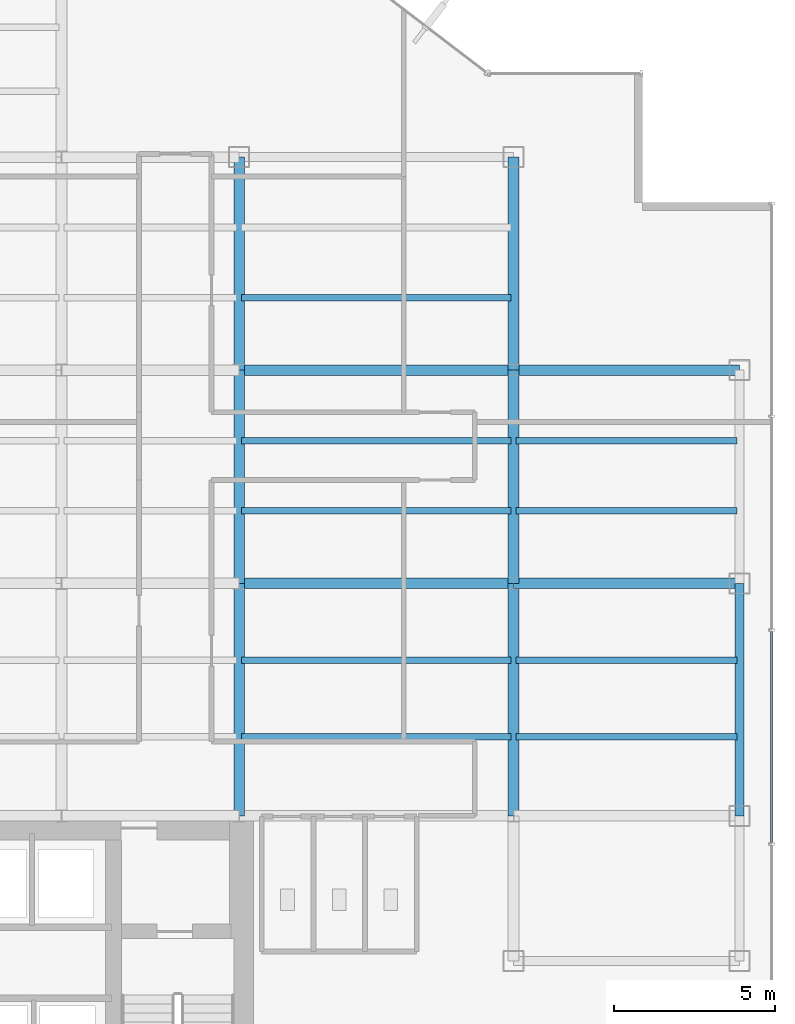
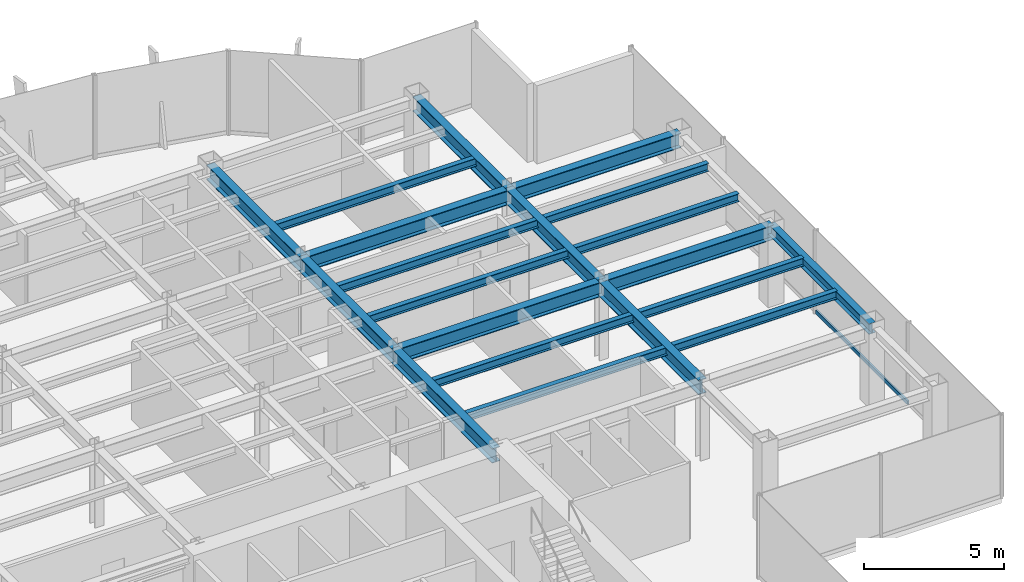
# One storey, part 6 of 19: 20 beams, 1 member, 1 element without a shape of its own.
"""IFC4 building model written with IfcOpenShell, lengths in metres."""

from ifc_helpers import new_model, si_unit, derived_unit, direction, frame, origin, origin_2d, place, context, subcontext, project, spatial, hollow_rectangle, i_section, extrude, source, transform, mapped, material, material_profile, profile_set, type_object, element, aggregate, save


model = new_model("IFC4")

# Units and contexts
model_context = context("Model", 3, precision=1e-05, world=origin(), true_north=direction((0.0, 1.0)))
body_context = subcontext(model_context, "Body", "Model", "MODEL_VIEW")
ifc_project = project(units=[si_unit("LENGTHUNIT", "METRE"), si_unit("AREAUNIT", "SQUARE_METRE"), si_unit("VOLUMEUNIT", "CUBIC_METRE"), si_unit("PLANEANGLEUNIT", "RADIAN"), si_unit("MASSUNIT", "GRAM", prefix="KILO"), derived_unit("THERMALTRANSMITTANCEUNIT", [(si_unit("POWERUNIT", "WATT"), 1), (si_unit("LENGTHUNIT", "METRE"), -2), (si_unit("THERMODYNAMICTEMPERATUREUNIT", "KELVIN"), -1)])], contexts=[model_context])

# Site, building, storey
site_placement = place(None, origin())
site = spatial("IfcSite", under=ifc_project, at=site_placement, CompositionType="ELEMENT")
building_placement = place(site_placement, origin())
building = spatial("IfcBuilding", under=site, at=building_placement, Name="Skarnbrae Concourse Arena and Tower", CompositionType="ELEMENT")
storey_placement = place(building_placement, frame((0.0, 0.0, 180.75)))
storey = spatial("IfcBuildingStorey", under=building, at=storey_placement, Name="L46", CompositionType="ELEMENT", Elevation=180.75)

# Beams
ifc_material_1 = material(Name="Steel CSA G40.21 350W", Category="steel")
ifc_material_profile_1 = material_profile(ifc_material_1, i_section(OverallWidth=0.3291015625, OverallDepth=0.635009765625, WebThickness=0.017822265625, FlangeThickness=0.031005859375, at=origin_2d()), Name="W610X241")
ifc_profile_set_1 = profile_set([ifc_material_profile_1], Name="Steel CSA G40.21 350W")
beam_type_1 = type_object("IfcBeamType", Name="BM-GIRD-W610X241", PredefinedType="BEAM", material=ifc_profile_set_1)
shared_shape_1 = source(origin(), body_context, "Body", "SweptSolid", [
    extrude(i_section(OverallWidth=0.3291015625, OverallDepth=0.635009765625, WebThickness=0.017822265625, FlangeThickness=0.031005859375, at=origin_2d()), origin(), (0.0, 0.0, 1.0), 6.60009765625),
])
for number, where, z_axis, x_axis, name in (
    (1, (33.5, 21.199951171875, 3.08251953125), (0.0, 1.0, 0.0), (-1.0, 0.0, 0.0), "L46 Primary N-S girder X33.5-2"),
    (2, (42.0, 21.199951171875, 3.08251953125), (0.0, 1.0, 0.0), (-1.0, 0.0, 0.0), "L46 Primary N-S girder X42.0-3"),
):
    element("IfcBeam", number, at=place(storey_placement, frame(where, z_axis=z_axis, x_axis=x_axis)), inside=storey, type_object=beam_type_1, Name=name, PredefinedType="BEAM", context=body_context, shape_type="MappedRepresentation", body=[
        mapped(shared_shape_1, transform((0.0, 0.0, 0.0))),
    ])
shared_shape_2 = source(origin(), body_context, "Body", "SweptSolid", [
    extrude(i_section(OverallWidth=0.3291015625, OverallDepth=0.635009765625, WebThickness=0.017822265625, FlangeThickness=0.031005859375, at=origin_2d()), origin(), (0.0, 0.0, 1.0), 8.5),
])
for number, where, z_axis, x_axis, name in (
    (3, (33.5, 21.199951171875, 3.08251953125), (1.0, 0.0, 0.0), (0.0, 1.0, 0.0), "L46 Primary E-W girder Y21.2-6"),
    (4, (33.5, 27.800048828125, 3.08251953125), (1.0, 0.0, 0.0), (0.0, 1.0, 0.0), "L46 Primary E-W girder Y27.8-6"),
):
    element("IfcBeam", number, at=place(storey_placement, frame(where, z_axis=z_axis, x_axis=x_axis)), inside=storey, type_object=beam_type_1, Name=name, PredefinedType="BEAM", context=body_context, shape_type="MappedRepresentation", body=[
        mapped(shared_shape_2, transform((0.0, 0.0, 0.0))),
    ])
shared_shape_3 = source(origin(), body_context, "Body", "SweptSolid", [
    extrude(i_section(OverallWidth=0.3291015625, OverallDepth=0.635009765625, WebThickness=0.017822265625, FlangeThickness=0.031005859375, at=origin_2d()), origin(), (0.0, 0.0, 1.0), 7.0),
])
for number, where, z_axis, x_axis, name in (
    (5, (42.0, 21.199951171875, 3.08251953125), (1.0, 0.0, 0.0), (0.0, 1.0, 0.0), "L46 Primary E-W girder Y21.2-7"),
    (6, (42.0, 27.800048828125, 3.08251953125), (1.0, 0.0, 0.0), (0.0, 1.0, 0.0), "L46 Primary E-W girder Y27.8-7"),
):
    element("IfcBeam", number, at=place(storey_placement, frame(where, z_axis=z_axis, x_axis=x_axis)), inside=storey, type_object=beam_type_1, Name=name, PredefinedType="BEAM", context=body_context, shape_type="MappedRepresentation", body=[
        mapped(shared_shape_3, transform((0.0, 0.0, 0.0))),
    ])
ifc_material_profile_2 = material_profile(ifc_material_1, i_section(OverallWidth=0.280029296875, OverallDepth=0.462890625, WebThickness=0.0107421875, FlangeThickness=0.017333984375, at=origin_2d()), Name="W460X113")
ifc_profile_set_2 = profile_set([ifc_material_profile_2], Name="Steel CSA G40.21 350W")
beam_type_2 = type_object("IfcBeamType", Name="BM-SPAN-W460X113", PredefinedType="SPANDREL", material=ifc_profile_set_2)
shared_shape_4 = source(origin(), body_context, "Body", "SweptSolid", [
    extrude(i_section(OverallWidth=0.280029296875, OverallDepth=0.462890625, WebThickness=0.0107421875, FlangeThickness=0.017333984375, at=origin_2d()), origin(), (0.0, 0.0, 1.0), 7.199951171875),
])
beam_placement = place(storey_placement, frame((49.0, 14.0, 3.16845703125), z_axis=(0.0, 1.0, 0.0), x_axis=(-1.0, 0.0, 0.0)))
element("IfcBeam", 7, at=beam_placement, inside=storey, type_object=beam_type_2, Name="L46 Perimeter spandrel X49.0-2", PredefinedType="SPANDREL", context=body_context, shape_type="MappedRepresentation", body=[
    mapped(shared_shape_4, transform((0.0, 0.0, 0.0))),
])
shared_shape_5 = source(origin(), body_context, "Body", "SweptSolid", [
    extrude(i_section(OverallWidth=0.3291015625, OverallDepth=0.635009765625, WebThickness=0.017822265625, FlangeThickness=0.031005859375, at=origin_2d()), origin(), (0.0, 0.0, 1.0), 7.199951171875),
])
for number, where, z_axis, x_axis, name in (
    (8, (33.5, 14.0, 3.08251953125), (0.0, 1.0, 0.0), (-1.0, 0.0, 0.0), "L46 Primary N-S girder X33.5-1"),
    (9, (42.0, 14.0, 3.08251953125), (0.0, 1.0, 0.0), (-1.0, 0.0, 0.0), "L46 Primary N-S girder X42.0-2"),
):
    element("IfcBeam", number, at=place(storey_placement, frame(where, z_axis=z_axis, x_axis=x_axis)), inside=storey, type_object=beam_type_1, Name=name, PredefinedType="BEAM", context=body_context, shape_type="MappedRepresentation", body=[
        mapped(shared_shape_5, transform((0.0, 0.0, 0.0))),
    ])
shared_shape_6 = source(origin(), body_context, "Body", "SweptSolid", [
    extrude(i_section(OverallWidth=0.3291015625, OverallDepth=0.635009765625, WebThickness=0.017822265625, FlangeThickness=0.031005859375, at=origin_2d()), origin(), (0.0, 0.0, 1.0), 6.599853515625),
])
for number, where, z_axis, x_axis, name in (
    (10, (33.5, 27.800048828125, 3.08251953125), (0.0, 1.0, 0.0), (-1.0, 0.0, 0.0), "L46 Primary N-S girder X33.5-3"),
    (11, (42.0, 27.800048828125, 3.08251953125), (0.0, 1.0, 0.0), (-1.0, 0.0, 0.0), "L46 Primary N-S girder X42.0-4"),
):
    element("IfcBeam", number, at=place(storey_placement, frame(where, z_axis=z_axis, x_axis=x_axis)), inside=storey, type_object=beam_type_1, Name=name, PredefinedType="BEAM", context=body_context, shape_type="MappedRepresentation", body=[
        mapped(shared_shape_6, transform((0.0, 0.0, 0.0))),
    ])
ifc_material_profile_3 = material_profile(ifc_material_1, i_section(OverallWidth=0.205078125, OverallDepth=0.35400390625, WebThickness=0.009521484375, FlangeThickness=0.016845703125, at=origin_2d()), Name="W360X79")
ifc_profile_set_3 = profile_set([ifc_material_profile_3], Name="Steel CSA G40.21 350W")
beam_type_3 = type_object("IfcBeamType", Name="BM-JOIST-W360X79", PredefinedType="JOIST", material=ifc_profile_set_3)
shared_shape_7 = source(origin(), body_context, "Body", "SweptSolid", [
    extrude(i_section(OverallWidth=0.205078125, OverallDepth=0.35400390625, WebThickness=0.009521484375, FlangeThickness=0.016845703125, at=origin_2d()), origin(), (0.0, 0.0, 1.0), 8.33984375),
])
for number, where, z_axis, x_axis, name in (
    (12, (33.580078125, 16.447998046875, 3.222900390625), (1.0, 0.0, 0.0), (0.0, 1.0, 0.0), "L46 Secondary floor joist 1.1.6"),
    (13, (33.580078125, 18.823974609375, 3.222900390625), (1.0, 0.0, 0.0), (0.0, 1.0, 0.0), "L46 Secondary floor joist 1.2.6"),
    (14, (33.580078125, 23.444091796875, 3.222900390625), (1.0, 0.0, 0.0), (0.0, 1.0, 0.0), "L46 Secondary floor joist 2.1.6"),
    (15, (33.580078125, 25.6220703125, 3.222900390625), (1.0, 0.0, 0.0), (0.0, 1.0, 0.0), "L46 Secondary floor joist 2.2.6"),
    (16, (33.580078125, 30.0439453125, 3.222900390625), (1.0, 0.0, 0.0), (0.0, 1.0, 0.0), "L46 Secondary floor joist 3.1.5"),
):
    element("IfcBeam", number, at=place(storey_placement, frame(where, z_axis=z_axis, x_axis=x_axis)), inside=storey, type_object=beam_type_3, Name=name, PredefinedType="JOIST", context=body_context, shape_type="MappedRepresentation", body=[
        mapped(shared_shape_7, transform((0.0, 0.0, 0.0))),
    ])
shared_shape_8 = source(origin(), body_context, "Body", "SweptSolid", [
    extrude(i_section(OverallWidth=0.205078125, OverallDepth=0.35400390625, WebThickness=0.009521484375, FlangeThickness=0.016845703125, at=origin_2d()), origin(), (0.0, 0.0, 1.0), 6.83984375),
])
for number, where, z_axis, x_axis, name in (
    (17, (42.080078125, 16.447998046875, 3.222900390625), (1.0, 0.0, 0.0), (0.0, 1.0, 0.0), "L46 Secondary floor joist 1.1.7"),
    (18, (42.080078125, 18.823974609375, 3.222900390625), (1.0, 0.0, 0.0), (0.0, 1.0, 0.0), "L46 Secondary floor joist 1.2.7"),
    (19, (42.080078125, 23.444091796875, 3.222900390625), (1.0, 0.0, 0.0), (0.0, 1.0, 0.0), "L46 Secondary floor joist 2.1.7"),
    (20, (42.080078125, 25.6220703125, 3.222900390625), (1.0, 0.0, 0.0), (0.0, 1.0, 0.0), "L46 Secondary floor joist 2.2.7"),
):
    element("IfcBeam", number, at=place(storey_placement, frame(where, z_axis=z_axis, x_axis=x_axis)), inside=storey, type_object=beam_type_3, Name=name, PredefinedType="JOIST", context=body_context, shape_type="MappedRepresentation", body=[
        mapped(shared_shape_8, transform((0.0, 0.0, 0.0))),
    ])

# Curtain wall, member
ifc_material_2 = material(Name="Bronze anodised aluminium 6063-T6", Category="aluminium")
curtain_wall_type = type_object("IfcCurtainWallType", Name="CW-SYS-04-MIDZONE", PredefinedType="USERDEFINED", material=ifc_material_2)
curtain_wall_placement = place(storey_placement, origin())
curtain_wall = element("IfcCurtainWall", 21, at=curtain_wall_placement, inside=storey, type_object=curtain_wall_type, Name="L46 Unitised curtain wall CW-L46-E04", ObjectType="UNITISED CURTAIN WALL", PredefinedType="USERDEFINED")
ifc_material_profile_4 = material_profile(ifc_material_2, hollow_rectangle(XDim=0.074951171875, YDim=0.159912109375, WallThickness=0.00439453125, at=origin_2d()), Name="ALU-TRAN-75X160")
ifc_profile_set_4 = profile_set([ifc_material_profile_4], Name="Bronze anodised aluminium 6063-T6")
member_type = type_object("IfcMemberType", Name="CWT-CW-04", PredefinedType="USERDEFINED", material=ifc_profile_set_4)
shared_shape_9 = source(origin(), body_context, "Body", "SweptSolid", [
    extrude(hollow_rectangle(XDim=0.074951171875, YDim=0.159912109375, WallThickness=0.00439453125, at=origin_2d()), origin(), (0.0, 0.0, 1.0), 6.5498046875),
])
member_placement = place(storey_placement, frame((50.0, 13.16259765625, 0.080078125), z_axis=(0.0, 1.0, 0.0), x_axis=(-1.0, 0.0, 0.0)))
member = element("IfcMember", 22, at=member_placement, type_object=member_type, Name="CW-L46-E04 Transom 2", ObjectType="TRANSOM", PredefinedType="USERDEFINED", context=body_context, shape_type="MappedRepresentation", body=[
    mapped(shared_shape_9, transform((0.0, 0.0, 0.0))),
])
aggregate(curtain_wall, [member])

save(model, "model.ifc")
